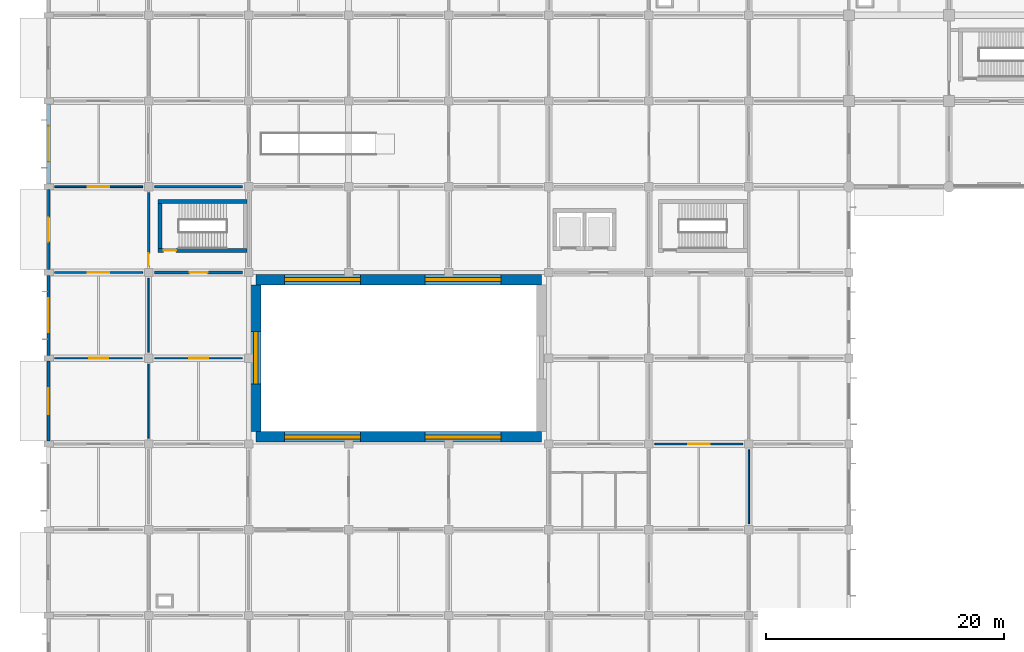
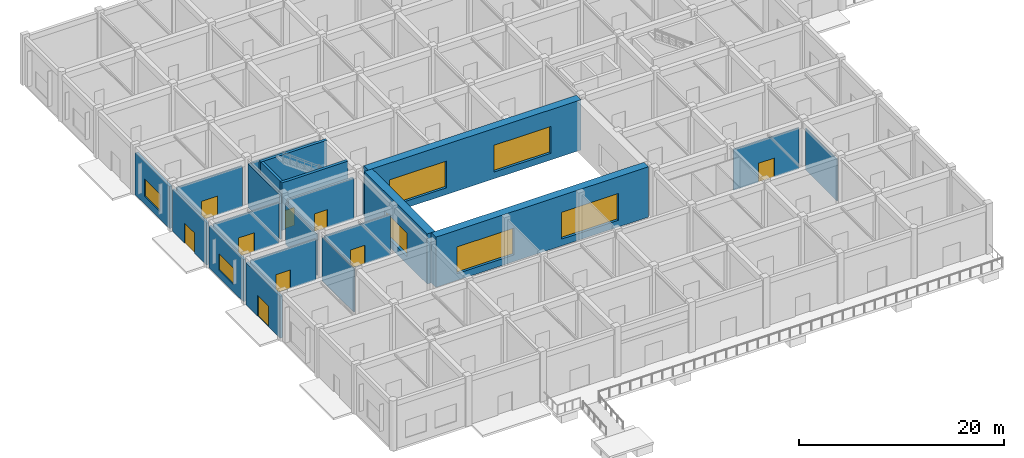
# One storey, part 14 of 39: 21 walls, 10 doors, 7 windows, 17 openings.
"""IFC4 building model written with IfcOpenShell, lengths in metres."""

from ifc_helpers import new_model, si_unit, derived_unit, direction, frame, frame_2d, origin, place, context, subcontext, project, spatial, rectangle, extrude, material, layer, layer_set, type_object, element, fill, save


model = new_model("IFC4")

# Units and contexts
model_context = context("Model", 3, precision=1e-05, world=origin(), true_north=direction((0.0, 1.0)))
body_context = subcontext(model_context, "Body", "Model", "MODEL_VIEW")
ifc_project = project(units=[si_unit("LENGTHUNIT", "METRE"), si_unit("AREAUNIT", "SQUARE_METRE"), si_unit("VOLUMEUNIT", "CUBIC_METRE"), si_unit("PLANEANGLEUNIT", "RADIAN"), si_unit("MASSUNIT", "GRAM", prefix="KILO"), derived_unit("THERMALTRANSMITTANCEUNIT", [(si_unit("MASSUNIT", "GRAM", prefix="KILO"), 1), (si_unit("TIMEUNIT", "SECOND"), -3), (si_unit("THERMODYNAMICTEMPERATUREUNIT", "KELVIN"), -1)])], contexts=[model_context])

# Site, building, storey
site_placement = place(None, origin())
site = spatial("IfcSite", under=ifc_project, at=site_placement, CompositionType="ELEMENT")
building_placement = place(site_placement, origin())
building = spatial("IfcBuilding", under=site, at=building_placement, Name="Veldstrom Oceanarium and Marine Research Institute", CompositionType="ELEMENT")
storey_placement = place(building_placement, origin())
storey = spatial("IfcBuildingStorey", under=building, at=storey_placement, Name="L00", CompositionType="ELEMENT", Elevation=0.0)

# Wall, opening, window
ifc_material_1 = material(Name="Masonry Cavity Wall", Category="masonry")
ifc_layer_1 = layer(ifc_material_1, 0.31005859375)
ifc_layer_set_1 = layer_set([ifc_layer_1], Name="ARC-WAL-EW1")
wall_type_1 = type_object("IfcWallType", Name="ARC-WAL-EW1", PredefinedType="SOLIDWALL", material=ifc_layer_set_1)
wall_1_placement = place(storey_placement, frame((0.0, 43.449951171875, 0.0), z_axis=(0.0, 0.0, 1.0), x_axis=(0.0, 1.0, 0.0)))
wall_1 = element("IfcWall", 1, at=wall_1_placement, inside=storey, type_object=wall_type_1, Name="Exterior Facade Wall EW1 L00-008", PredefinedType="SOLIDWALL", context=body_context, shape_type="SweptSolid", body=[
    extrude(rectangle(XDim=6.699951171875, YDim=0.31005859375, at=frame_2d((3.35009765625, 0.0))), origin(), (0.0, 0.0, 1.0), 5.02001953125),
])
opening_1_placement = place(wall_1_placement, frame((1.85009765625, 0.0, 0.89990234375)))
opening_1 = element("IfcOpeningElement", 2, at=opening_1_placement, cuts=wall_1, Name="Opening W07", PredefinedType="OPENING", context=body_context, shape_type="SweptSolid", body=[
    extrude(rectangle(XDim=3.0, YDim=2.10009765625, at=frame_2d((1.5, 1.050048828125))), frame((0.0, 0.1650390625, 0.0), z_axis=(0.0, -1.0, 0.0), x_axis=(1.0, 0.0, 0.0)), (0.0, 0.0, 1.0), 0.330078125),
])
ifc_material_2 = material(Name="Double Glazed Low-E IGU", Category="glass")
window_type_1 = type_object("IfcWindowType", Name="ARC-WIN-W07", PartitioningType="SINGLE_PANEL", PredefinedType="WINDOW", material=ifc_material_2)
window_1_placement = place(opening_1_placement, origin())
window_1 = element("IfcWindow", 3, at=window_1_placement, inside=storey, type_object=window_type_1, Name="Facade Window W07 L00-0006", OverallHeight=2.10009765625, OverallWidth=3.0, PartitioningType="SINGLE_PANEL", PredefinedType="WINDOW", context=body_context, shape_type="SweptSolid", body=[
    extrude(rectangle(XDim=3.0, YDim=2.10009765625, at=frame_2d((1.5, 1.050048828125))), frame((0.0, 0.030029296875, 0.0), z_axis=(0.0, -1.0, 0.0), x_axis=(1.0, 0.0, 0.0)), (0.0, 0.0, 1.0), 0.06005859375),
])
fill(opening_1, window_1)

# Wall, opening, door
ifc_material_3 = material(Name="Masonry Cavity Wall", Category="masonry")
ifc_layer_2 = layer(ifc_material_3, 0.27001953125)
ifc_layer_set_2 = layer_set([ifc_layer_2], Name="ARC-WAL-EW3")
wall_type_2 = type_object("IfcWallType", Name="ARC-WAL-EW3", PredefinedType="SOLIDWALL", material=ifc_layer_set_2)
wall_2_placement = place(storey_placement, frame((0.0, 21.85009765625, 0.0), z_axis=(0.0, 0.0, 1.0), x_axis=(0.0, 1.0, 0.0)))
wall_2 = element("IfcWall", 4, at=wall_2_placement, inside=storey, type_object=wall_type_2, Name="Exterior Facade Wall EW3 L00-005", PredefinedType="SOLIDWALL", context=body_context, shape_type="SweptSolid", body=[
    extrude(rectangle(XDim=6.699951171875, YDim=0.27001953125, at=frame_2d((3.35009765625, 0.0))), origin(), (0.0, 0.0, 1.0), 5.02001953125),
])
opening_2_placement = place(wall_2_placement, frame((2.25, 0.0, 0.0)))
opening_2 = element("IfcOpeningElement", 5, at=opening_2_placement, cuts=wall_2, Name="Opening D-L00-002", PredefinedType="OPENING", context=body_context, shape_type="SweptSolid", body=[
    extrude(rectangle(XDim=2.199951171875, YDim=2.449951171875, at=frame_2d((1.10009765625, 1.22509765625))), frame((0.0, 0.14501953125, 0.0), z_axis=(0.0, -1.0, 0.0), x_axis=(1.0, 0.0, 0.0)), (0.0, 0.0, 1.0), 0.2900390625),
])
ifc_material_4 = material(Name="Anodised Aluminium Main Entrance Door", Category="aluminium")
door_type_1 = type_object("IfcDoorType", Name="ARC-DOR-ED6", OperationType="DOUBLE_DOOR_SINGLE_SWING", PredefinedType="DOOR", material=ifc_material_4)
door_1_placement = place(opening_2_placement, origin())
door_1 = element("IfcDoor", 6, at=door_1_placement, inside=storey, type_object=door_type_1, Name="Street Entrance / Exit Door D-L00-002", OperationType="DOUBLE_DOOR_SINGLE_SWING", OverallHeight=2.449951171875, OverallWidth=2.199951171875, PredefinedType="DOOR", context=body_context, shape_type="SweptSolid", body=[
    extrude(rectangle(XDim=2.199951171875, YDim=2.449951171875, at=frame_2d((1.10009765625, 1.22509765625))), frame((0.0, 0.02490234375, 0.0), z_axis=(0.0, -1.0, 0.0), x_axis=(1.0, 0.0, 0.0)), (0.0, 0.0, 1.0), 0.050048828125),
])
fill(opening_2, door_1)

# Wall, opening, window
ifc_material_5 = material(Name="Masonry Cavity Wall", Category="masonry")
ifc_layer_3 = layer(ifc_material_5, 0.25)
ifc_layer_set_3 = layer_set([ifc_layer_3], Name="ARC-WAL-EW5")
wall_type_3 = type_object("IfcWallType", Name="ARC-WAL-EW5", PredefinedType="SOLIDWALL", material=ifc_layer_set_3)
wall_3_placement = place(storey_placement, frame((0.0, 29.050048828125, 0.0), z_axis=(0.0, 0.0, 1.0), x_axis=(0.0, 1.0, 0.0)))
wall_3 = element("IfcWall", 7, at=wall_3_placement, inside=storey, type_object=wall_type_3, Name="Exterior Facade Wall EW5 L00-006", PredefinedType="SOLIDWALL", context=body_context, shape_type="SweptSolid", body=[
    extrude(rectangle(XDim=6.699951171875, YDim=0.25, at=frame_2d((3.35009765625, 0.0))), origin(), (0.0, 0.0, 1.0), 5.02001953125),
])
opening_3_placement = place(wall_3_placement, frame((1.925048828125, 0.0, 0.89990234375)))
opening_3 = element("IfcOpeningElement", 8, at=opening_3_placement, cuts=wall_3, Name="Opening W19", PredefinedType="OPENING", context=body_context, shape_type="SweptSolid", body=[
    extrude(rectangle(XDim=2.85009765625, YDim=1.949951171875, at=frame_2d((1.425048828125, 0.97509765625))), frame((0.0, 0.135009765625, 0.0), z_axis=(0.0, -1.0, 0.0), x_axis=(1.0, 0.0, 0.0)), (0.0, 0.0, 1.0), 0.27001953125),
])
ifc_material_6 = material(Name="Double Glazed Low-E IGU", Category="glass")
window_type_2 = type_object("IfcWindowType", Name="ARC-WIN-W19", PartitioningType="SINGLE_PANEL", PredefinedType="WINDOW", material=ifc_material_6)
window_2_placement = place(opening_3_placement, origin())
window_2 = element("IfcWindow", 9, at=window_2_placement, inside=storey, type_object=window_type_2, Name="Facade Window W19 L00-0005", OverallHeight=1.949951171875, OverallWidth=2.85009765625, PartitioningType="SINGLE_PANEL", PredefinedType="WINDOW", context=body_context, shape_type="SweptSolid", body=[
    extrude(rectangle(XDim=2.85009765625, YDim=1.949951171875, at=frame_2d((1.425048828125, 0.97509765625))), frame((0.0, 0.030029296875, 0.0), z_axis=(0.0, -1.0, 0.0), x_axis=(1.0, 0.0, 0.0)), (0.0, 0.0, 1.0), 0.06005859375),
])
fill(opening_3, window_2)

# Wall, opening, door
ifc_material_7 = material(Name="Masonry Cavity Wall", Category="masonry")
ifc_layer_4 = layer(ifc_material_7, 0.215087890625)
ifc_layer_set_4 = layer_set([ifc_layer_4], Name="ARC-WAL-EW6")
wall_type_4 = type_object("IfcWallType", Name="ARC-WAL-EW6", PredefinedType="SOLIDWALL", material=ifc_layer_set_4)
wall_4_placement = place(storey_placement, frame((0.0, 36.25, 0.0), z_axis=(0.0, 0.0, 1.0), x_axis=(0.0, 1.0, 0.0)))
wall_4 = element("IfcWall", 10, at=wall_4_placement, inside=storey, type_object=wall_type_4, Name="Exterior Facade Wall EW6 L00-007", PredefinedType="SOLIDWALL", context=body_context, shape_type="SweptSolid", body=[
    extrude(rectangle(XDim=6.699951171875, YDim=0.215087890625, at=frame_2d((3.35009765625, 0.0))), origin(), (0.0, 0.0, 1.0), 5.02001953125),
])
opening_4_placement = place(wall_4_placement, frame((2.35009765625, 0.0, 0.0)))
opening_4 = element("IfcOpeningElement", 11, at=opening_4_placement, cuts=wall_4, Name="Opening D-L00-003", PredefinedType="OPENING", context=body_context, shape_type="SweptSolid", body=[
    extrude(rectangle(XDim=2.0, YDim=2.39990234375, at=frame_2d((1.0, 1.199951171875))), frame((0.0, 0.117431640625, 0.0), z_axis=(0.0, -1.0, 0.0), x_axis=(1.0, 0.0, 0.0)), (0.0, 0.0, 1.0), 0.235107421875),
])
ifc_material_8 = material(Name="Anodised Aluminium Glazed Door", Category="aluminium")
door_type_2 = type_object("IfcDoorType", Name="ARC-DOR-ED1", OperationType="DOUBLE_DOOR_SINGLE_SWING", PredefinedType="DOOR", material=ifc_material_8)
door_2_placement = place(opening_4_placement, origin())
door_2 = element("IfcDoor", 12, at=door_2_placement, inside=storey, type_object=door_type_2, Name="Street Entrance / Exit Door D-L00-003", OperationType="DOUBLE_DOOR_SINGLE_SWING", OverallHeight=2.39990234375, OverallWidth=2.0, PredefinedType="DOOR", context=body_context, shape_type="SweptSolid", body=[
    extrude(rectangle(XDim=2.0, YDim=2.39990234375, at=frame_2d((1.0, 1.199951171875))), frame((0.0, 0.02490234375, 0.0), z_axis=(0.0, -1.0, 0.0), x_axis=(1.0, 0.0, 0.0)), (0.0, 0.0, 1.0), 0.050048828125),
])
fill(opening_4, door_2)

ifc_material_9 = material(Name="Masonry Fire Compartment Wall", Category="masonry")
ifc_layer_5 = layer(ifc_material_9, 0.22998046875)
ifc_layer_set_5 = layer_set([ifc_layer_5], Name="ARC-WAL-PT1")
wall_type_5 = type_object("IfcWallType", Name="ARC-WAL-PT1", PredefinedType="PARTITIONING", material=ifc_layer_set_5)
wall_5_placement = place(storey_placement, frame((8.39990234375, 36.5, 0.0), z_axis=(0.0, 0.0, 1.0), x_axis=(0.0, 1.0, 0.0)))
wall_5 = element("IfcWall", 13, at=wall_5_placement, inside=storey, type_object=wall_type_5, Name="Interior Partition PT1 L00-0581", PredefinedType="PARTITIONING", context=body_context, shape_type="SweptSolid", body=[
    extrude(rectangle(XDim=6.199951171875, YDim=0.22998046875, at=frame_2d((3.10009765625, 0.0))), origin(), (0.0, 0.0, 1.0), 5.27001953125),
])
opening_5_placement = place(wall_5_placement, frame((0.050048828125, 0.0, 0.0)))
opening_5 = element("IfcOpeningElement", 14, at=opening_5_placement, cuts=wall_5, Name="Opening D-L00-339", PredefinedType="OPENING", context=body_context, shape_type="SweptSolid", body=[
    extrude(rectangle(XDim=1.050048828125, YDim=2.14990234375, at=frame_2d((0.52490234375, 1.074951171875))), frame((0.0, 0.125, 0.0), z_axis=(0.0, -1.0, 0.0), x_axis=(1.0, 0.0, 0.0)), (0.0, 0.0, 1.0), 0.25),
])
ifc_material_10 = material(Name="Painted Steel Fire Door", Category="steel")
door_type_3 = type_object("IfcDoorType", Name="ARC-DOR-SD1", OperationType="SINGLE_SWING_LEFT", PredefinedType="DOOR", material=ifc_material_10)
door_3_placement = place(opening_5_placement, origin())
door_3 = element("IfcDoor", 15, at=door_3_placement, inside=storey, type_object=door_type_3, Name="Interior Door D-L00-339", OperationType="SINGLE_SWING_LEFT", OverallHeight=2.14990234375, OverallWidth=1.050048828125, PredefinedType="DOOR", context=body_context, shape_type="SweptSolid", body=[
    extrude(rectangle(XDim=1.050048828125, YDim=2.14990234375, at=frame_2d((0.52490234375, 1.074951171875))), frame((0.0, 0.02490234375, 0.0), z_axis=(0.0, -1.0, 0.0), x_axis=(1.0, 0.0, 0.0)), (0.0, 0.0, 1.0), 0.050048828125),
])
fill(opening_5, door_3)

wall_6_placement = place(storey_placement, frame((8.89990234375, 36.0, 0.0), z_axis=(0.0, 0.0, 1.0), x_axis=(1.0, 0.0, 0.0)))
wall_6 = element("IfcWall", 16, at=wall_6_placement, inside=storey, type_object=wall_type_5, Name="Interior Partition PT1 L00-0597", PredefinedType="PARTITIONING", context=body_context, shape_type="SweptSolid", body=[
    extrude(rectangle(XDim=7.400146484375, YDim=0.22998046875, at=frame_2d((3.7001953125, 0.0))), origin(), (0.0, 0.0, 1.0), 4.8701171875),
])
opening_6_placement = place(wall_6_placement, frame((2.949951171875, 0.0, 0.0)))
opening_6 = element("IfcOpeningElement", 17, at=opening_6_placement, cuts=wall_6, Name="Opening D-L00-350", PredefinedType="OPENING", context=body_context, shape_type="SweptSolid", body=[
    extrude(rectangle(XDim=1.5, YDim=2.14990234375, at=frame_2d((0.75, 1.074951171875))), frame((0.0, 0.125, 0.0), z_axis=(0.0, -1.0, 0.0), x_axis=(1.0, 0.0, 0.0)), (0.0, 0.0, 1.0), 0.25),
])
ifc_material_11 = material(Name="Painted Steel Lobby Fire Door", Category="steel")
door_type_4 = type_object("IfcDoorType", Name="ARC-DOR-SD2", OperationType="DOUBLE_DOOR_SINGLE_SWING", PredefinedType="DOOR", material=ifc_material_11)
door_4_placement = place(opening_6_placement, origin())
door_4 = element("IfcDoor", 18, at=door_4_placement, inside=storey, type_object=door_type_4, Name="Interior Door D-L00-350", OperationType="DOUBLE_DOOR_SINGLE_SWING", OverallHeight=2.14990234375, OverallWidth=1.5, PredefinedType="DOOR", context=body_context, shape_type="SweptSolid", body=[
    extrude(rectangle(XDim=1.5, YDim=2.14990234375, at=frame_2d((0.75, 1.074951171875))), frame((0.0, 0.02490234375, 0.0), z_axis=(0.0, -1.0, 0.0), x_axis=(1.0, 0.0, 0.0)), (0.0, 0.0, 1.0), 0.050048828125),
])
fill(opening_6, door_4)

# Wall
wall_7_placement = place(storey_placement, frame((8.89990234375, 43.199951171875, 0.0), z_axis=(0.0, 0.0, 1.0), x_axis=(1.0, 0.0, 0.0)))
element("IfcWall", 19, at=wall_7_placement, inside=storey, type_object=wall_type_5, Name="Interior Partition PT1 L00-0599", PredefinedType="PARTITIONING", context=body_context, shape_type="SweptSolid", body=[
    extrude(rectangle(XDim=7.400146484375, YDim=0.22998046875, at=frame_2d((3.7001953125, 0.0))), origin(), (0.0, 0.0, 1.0), 4.8701171875),
])

# Wall, opening, door
ifc_material_12 = material(Name="Drywall Corridor Partition", Category="gypsum")
ifc_layer_6 = layer(ifc_material_12, 0.155029296875)
ifc_layer_set_6 = layer_set([ifc_layer_6], Name="ARC-WAL-PT4")
wall_type_6 = type_object("IfcWallType", Name="ARC-WAL-PT4", PredefinedType="PARTITIONING", material=ifc_layer_set_6)
wall_8_placement = place(storey_placement, frame((0.5, 36.0, 0.0), z_axis=(0.0, 0.0, 1.0), x_axis=(1.0, 0.0, 0.0)))
wall_8 = element("IfcWall", 20, at=wall_8_placement, inside=storey, type_object=wall_type_6, Name="Interior Partition PT4 L00-0580", PredefinedType="PARTITIONING", context=body_context, shape_type="SweptSolid", body=[
    extrude(rectangle(XDim=7.39990234375, YDim=0.155029296875, at=frame_2d((3.699951171875, 0.0))), origin(), (0.0, 0.0, 1.0), 4.8701171875),
])
opening_7_placement = place(wall_8_placement, frame((2.800048828125, 0.0, 0.0)))
opening_7 = element("IfcOpeningElement", 21, at=opening_7_placement, cuts=wall_8, Name="Opening D-L00-338", PredefinedType="OPENING", context=body_context, shape_type="SweptSolid", body=[
    extrude(rectangle(XDim=1.800048828125, YDim=2.25, at=frame_2d((0.89990234375, 1.125))), frame((0.0, 0.08740234375, 0.0), z_axis=(0.0, -1.0, 0.0), x_axis=(1.0, 0.0, 0.0)), (0.0, 0.0, 1.0), 0.175048828125),
])
ifc_material_13 = material(Name="Acoustic Timber Gallery Door", Category="wood")
door_type_5 = type_object("IfcDoorType", Name="ARC-DOR-ID01", OperationType="DOUBLE_DOOR_SINGLE_SWING", PredefinedType="DOOR", material=ifc_material_13)
door_5_placement = place(opening_7_placement, origin())
door_5 = element("IfcDoor", 22, at=door_5_placement, inside=storey, type_object=door_type_5, Name="Interior Door D-L00-338", OperationType="DOUBLE_DOOR_SINGLE_SWING", OverallHeight=2.25, OverallWidth=1.800048828125, PredefinedType="DOOR", context=body_context, shape_type="SweptSolid", body=[
    extrude(rectangle(XDim=1.800048828125, YDim=2.25, at=frame_2d((0.89990234375, 1.125))), frame((0.0, 0.02490234375, 0.0), z_axis=(0.0, -1.0, 0.0), x_axis=(1.0, 0.0, 0.0)), (0.0, 0.0, 1.0), 0.050048828125),
])
fill(opening_7, door_5)

wall_9_placement = place(storey_placement, frame((8.89990234375, 28.800048828125, 0.0), z_axis=(0.0, 0.0, 1.0), x_axis=(1.0, 0.0, 0.0)))
wall_9 = element("IfcWall", 23, at=wall_9_placement, inside=storey, type_object=wall_type_6, Name="Interior Partition PT4 L00-0596", PredefinedType="PARTITIONING", context=body_context, shape_type="SweptSolid", body=[
    extrude(rectangle(XDim=7.400146484375, YDim=0.155029296875, at=frame_2d((3.7001953125, 0.0))), origin(), (0.0, 0.0, 1.0), 4.8701171875),
])
opening_8_placement = place(wall_9_placement, frame((2.89990234375, 0.0, 0.0)))
opening_8 = element("IfcOpeningElement", 24, at=opening_8_placement, cuts=wall_9, Name="Opening D-L00-349", PredefinedType="OPENING", context=body_context, shape_type="SweptSolid", body=[
    extrude(rectangle(XDim=1.60009765625, YDim=2.199951171875, at=frame_2d((0.800048828125, 1.10009765625))), frame((0.0, 0.08740234375, 0.0), z_axis=(0.0, -1.0, 0.0), x_axis=(1.0, 0.0, 0.0)), (0.0, 0.0, 1.0), 0.175048828125),
])
ifc_material_14 = material(Name="Acoustic Timber Corridor Door", Category="wood")
door_type_6 = type_object("IfcDoorType", Name="ARC-DOR-ID02", OperationType="DOUBLE_DOOR_SINGLE_SWING", PredefinedType="DOOR", material=ifc_material_14)
door_6_placement = place(opening_8_placement, origin())
door_6 = element("IfcDoor", 25, at=door_6_placement, inside=storey, type_object=door_type_6, Name="Interior Door D-L00-349", OperationType="DOUBLE_DOOR_SINGLE_SWING", OverallHeight=2.199951171875, OverallWidth=1.60009765625, PredefinedType="DOOR", context=body_context, shape_type="SweptSolid", body=[
    extrude(rectangle(XDim=1.60009765625, YDim=2.199951171875, at=frame_2d((0.800048828125, 1.10009765625))), frame((0.0, 0.02490234375, 0.0), z_axis=(0.0, -1.0, 0.0), x_axis=(1.0, 0.0, 0.0)), (0.0, 0.0, 1.0), 0.050048828125),
])
fill(opening_8, door_6)

wall_10_placement = place(storey_placement, frame((50.89990234375, 21.60009765625, 0.0), z_axis=(0.0, 0.0, 1.0), x_axis=(1.0, 0.0, 0.0)))
wall_10 = element("IfcWall", 26, at=wall_10_placement, inside=storey, type_object=wall_type_6, Name="Interior Partition PT4 L00-0671", PredefinedType="PARTITIONING", context=body_context, shape_type="SweptSolid", body=[
    extrude(rectangle(XDim=7.400146484375, YDim=0.155029296875, at=frame_2d((3.7001953125, 0.0))), origin(), (0.0, 0.0, 1.0), 4.8701171875),
])
opening_9_placement = place(wall_10_placement, frame((2.800048828125, 0.0, 0.0)))
opening_9 = element("IfcOpeningElement", 27, at=opening_9_placement, cuts=wall_10, Name="Opening D-L00-388", PredefinedType="OPENING", context=body_context, shape_type="SweptSolid", body=[
    extrude(rectangle(XDim=1.800048828125, YDim=2.25, at=frame_2d((0.89990234375, 1.125))), frame((0.0, 0.08740234375, 0.0), z_axis=(0.0, -1.0, 0.0), x_axis=(1.0, 0.0, 0.0)), (0.0, 0.0, 1.0), 0.175048828125),
])
door_7_placement = place(opening_9_placement, origin())
door_7 = element("IfcDoor", 28, at=door_7_placement, inside=storey, type_object=door_type_5, Name="Interior Door D-L00-388", OperationType="DOUBLE_DOOR_SINGLE_SWING", OverallHeight=2.25, OverallWidth=1.800048828125, PredefinedType="DOOR", context=body_context, shape_type="SweptSolid", body=[
    extrude(rectangle(XDim=1.800048828125, YDim=2.25, at=frame_2d((0.89990234375, 1.125))), frame((0.0, 0.02490234375, 0.0), z_axis=(0.0, -1.0, 0.0), x_axis=(1.0, 0.0, 0.0)), (0.0, 0.0, 1.0), 0.050048828125),
])
fill(opening_9, door_7)

ifc_material_15 = material(Name="Moisture-Resistant Wet-Area Partition", Category="masonry")
ifc_layer_7 = layer(ifc_material_15, 0.139892578125)
ifc_layer_set_7 = layer_set([ifc_layer_7], Name="ARC-WAL-PT5")
wall_type_7 = type_object("IfcWallType", Name="ARC-WAL-PT5", PredefinedType="PARTITIONING", material=ifc_layer_set_7)
wall_11_placement = place(storey_placement, frame((0.5, 28.800048828125, 0.0), z_axis=(0.0, 0.0, 1.0), x_axis=(1.0, 0.0, 0.0)))
wall_11 = element("IfcWall", 29, at=wall_11_placement, inside=storey, type_object=wall_type_7, Name="Interior Partition PT5 L00-0578", PredefinedType="PARTITIONING", context=body_context, shape_type="SweptSolid", body=[
    extrude(rectangle(XDim=7.39990234375, YDim=0.139892578125, at=frame_2d((3.699951171875, 0.0))), origin(), (0.0, 0.0, 1.0), 4.8701171875),
])
opening_10_placement = place(wall_11_placement, frame((2.89990234375, 0.0, 0.0)))
opening_10 = element("IfcOpeningElement", 30, at=opening_10_placement, cuts=wall_11, Name="Opening D-L00-337", PredefinedType="OPENING", context=body_context, shape_type="SweptSolid", body=[
    extrude(rectangle(XDim=1.60009765625, YDim=2.199951171875, at=frame_2d((0.800048828125, 1.10009765625))), frame((0.0, 0.079833984375, 0.0), z_axis=(0.0, -1.0, 0.0), x_axis=(1.0, 0.0, 0.0)), (0.0, 0.0, 1.0), 0.159912109375),
])
door_8_placement = place(opening_10_placement, frame((1.60009765625, 0.0, 0.0), z_axis=(0.0, 0.0, 1.0), x_axis=(-1.0, 0.0, 0.0)))
door_8 = element("IfcDoor", 31, at=door_8_placement, inside=storey, type_object=door_type_6, Name="Interior Door D-L00-337", OperationType="DOUBLE_DOOR_SINGLE_SWING", OverallHeight=2.199951171875, OverallWidth=1.60009765625, PredefinedType="DOOR", context=body_context, shape_type="SweptSolid", body=[
    extrude(rectangle(XDim=1.60009765625, YDim=2.199951171875, at=frame_2d((0.800048828125, 1.10009765625))), frame((0.0, 0.02490234375, 0.0), z_axis=(0.0, -1.0, 0.0), x_axis=(1.0, 0.0, 0.0)), (0.0, 0.0, 1.0), 0.050048828125),
])
fill(opening_10, door_8)

wall_12_placement = place(storey_placement, frame((0.5, 43.199951171875, 0.0), z_axis=(0.0, 0.0, 1.0), x_axis=(1.0, 0.0, 0.0)))
wall_12 = element("IfcWall", 32, at=wall_12_placement, inside=storey, type_object=wall_type_7, Name="Interior Partition PT5 L00-0582", PredefinedType="PARTITIONING", context=body_context, shape_type="SweptSolid", body=[
    extrude(rectangle(XDim=7.39990234375, YDim=0.139892578125, at=frame_2d((3.699951171875, 0.0))), origin(), (0.0, 0.0, 1.0), 4.8701171875),
])
opening_11_placement = place(wall_12_placement, frame((2.800048828125, 0.0, 0.0)))
opening_11 = element("IfcOpeningElement", 33, at=opening_11_placement, cuts=wall_12, Name="Opening D-L00-340", PredefinedType="OPENING", context=body_context, shape_type="SweptSolid", body=[
    extrude(rectangle(XDim=1.800048828125, YDim=2.25, at=frame_2d((0.89990234375, 1.125))), frame((0.0, 0.079833984375, 0.0), z_axis=(0.0, -1.0, 0.0), x_axis=(1.0, 0.0, 0.0)), (0.0, 0.0, 1.0), 0.159912109375),
])
door_9_placement = place(opening_11_placement, frame((1.800048828125, 0.0, 0.0), z_axis=(0.0, 0.0, 1.0), x_axis=(-1.0, 0.0, 0.0)))
door_9 = element("IfcDoor", 34, at=door_9_placement, inside=storey, type_object=door_type_5, Name="Interior Door D-L00-340", OperationType="DOUBLE_DOOR_SINGLE_SWING", OverallHeight=2.25, OverallWidth=1.800048828125, PredefinedType="DOOR", context=body_context, shape_type="SweptSolid", body=[
    extrude(rectangle(XDim=1.800048828125, YDim=2.25, at=frame_2d((0.89990234375, 1.125))), frame((0.0, 0.02490234375, 0.0), z_axis=(0.0, -1.0, 0.0), x_axis=(1.0, 0.0, 0.0)), (0.0, 0.0, 1.0), 0.050048828125),
])
fill(opening_11, door_9)

# Walls
ifc_material_16 = material(Name="Lightweight Studio Partition", Category="gypsum")
ifc_layer_8 = layer(ifc_material_16, 0.1201171875)
ifc_layer_set_8 = layer_set([ifc_layer_8], Name="ARC-WAL-PT6")
wall_type_8 = type_object("IfcWallType", Name="ARC-WAL-PT6", PredefinedType="PARTITIONING", material=ifc_layer_set_8)
wall_13_placement = place(storey_placement, frame((8.39990234375, 22.10009765625, 0.0), z_axis=(0.0, 0.0, 1.0), x_axis=(0.0, 1.0, 0.0)))
element("IfcWall", 35, at=wall_13_placement, inside=storey, type_object=wall_type_8, Name="Interior Partition PT6 L00-0577", PredefinedType="PARTITIONING", context=body_context, shape_type="SweptSolid", body=[
    extrude(rectangle(XDim=6.199951171875, YDim=0.1201171875, at=frame_2d((3.10009765625, 0.0))), origin(), (0.0, 0.0, 1.0), 5.169921875),
])
wall_14_placement = place(storey_placement, frame((8.39990234375, 29.300048828125, 0.0), z_axis=(0.0, 0.0, 1.0), x_axis=(0.0, 1.0, 0.0)))
element("IfcWall", 36, at=wall_14_placement, inside=storey, type_object=wall_type_8, Name="Interior Partition PT6 L00-0579", PredefinedType="PARTITIONING", context=body_context, shape_type="SweptSolid", body=[
    extrude(rectangle(XDim=6.199951171875, YDim=0.1201171875, at=frame_2d((3.10009765625, 0.0))), origin(), (0.0, 0.0, 1.0), 4.919921875),
])
wall_15_placement = place(storey_placement, frame((58.800048828125, 14.89990234375, 0.0), z_axis=(0.0, 0.0, 1.0), x_axis=(0.0, 1.0, 0.0)))
element("IfcWall", 37, at=wall_15_placement, inside=storey, type_object=wall_type_8, Name="Interior Partition PT6 L00-0670", PredefinedType="PARTITIONING", context=body_context, shape_type="SweptSolid", body=[
    extrude(rectangle(XDim=6.2001953125, YDim=0.1201171875, at=frame_2d((3.10009765625, 0.0))), origin(), (0.0, 0.0, 1.0), 4.919921875),
])

# Wall, opening, door
ifc_material_17 = material(Name="Concrete C40/50", Category="concrete")
ifc_layer_9 = layer(ifc_material_17, 0.320068359375)
ifc_layer_set_9 = layer_set([ifc_layer_9], Name="STR-WAL-WC3")
wall_type_9 = type_object("IfcWallType", Name="STR-WAL-WC3", PredefinedType="SHEAR", material=ifc_layer_set_9)
wall_16_placement = place(storey_placement, frame((9.199951171875, 37.840087890625, 0.0), z_axis=(0.0, 0.0, 1.0), x_axis=(1.0, 0.0, 0.0)))
wall_16 = element("IfcWall", 38, at=wall_16_placement, inside=storey, type_object=wall_type_9, Name="Stair Core Shear Wall SC3-L00-S", PredefinedType="SHEAR", context=body_context, shape_type="SweptSolid", body=[
    extrude(rectangle(XDim=7.47998046875, YDim=0.320068359375, at=frame_2d((3.739990234375, 0.0))), origin(), (0.0, 0.0, 1.0), 5.675048828125),
])
opening_12_placement = place(wall_16_placement, frame((0.449951171875, 0.0, 0.0)))
opening_12 = element("IfcOpeningElement", 39, at=opening_12_placement, cuts=wall_16, Name="Opening D-ST3-L00", PredefinedType="OPENING", context=body_context, shape_type="SweptSolid", body=[
    extrude(rectangle(XDim=1.050048828125, YDim=2.14990234375, at=frame_2d((0.52490234375, 1.074951171875))), frame((0.0, 0.169921875, 0.0), z_axis=(0.0, -1.0, 0.0), x_axis=(1.0, 0.0, 0.0)), (0.0, 0.0, 1.0), 0.340087890625),
])
door_10_placement = place(opening_12_placement, frame((1.050048828125, 0.0, 0.0), z_axis=(0.0, 0.0, 1.0), x_axis=(-1.0, 0.0, 0.0)))
door_10 = element("IfcDoor", 40, at=door_10_placement, inside=storey, type_object=door_type_3, Name="Escape Stair Fire Door D-ST3-L00", OperationType="SINGLE_SWING_RIGHT", OverallHeight=2.14990234375, OverallWidth=1.050048828125, PredefinedType="DOOR", context=body_context, shape_type="SweptSolid", body=[
    extrude(rectangle(XDim=1.050048828125, YDim=2.14990234375, at=frame_2d((0.52490234375, 1.074951171875))), frame((0.0, 0.02490234375, 0.0), z_axis=(0.0, -1.0, 0.0), x_axis=(1.0, 0.0, 0.0)), (0.0, 0.0, 1.0), 0.050048828125),
])
fill(opening_12, door_10)

# Walls
wall_17_placement = place(storey_placement, frame((9.199951171875, 41.9599609375, 0.0), z_axis=(0.0, 0.0, 1.0), x_axis=(1.0, 0.0, 0.0)))
element("IfcWall", 41, at=wall_17_placement, inside=storey, type_object=wall_type_9, Name="Stair Core Shear Wall SC3-L00-N", PredefinedType="SHEAR", context=body_context, shape_type="SweptSolid", body=[
    extrude(rectangle(XDim=7.47998046875, YDim=0.320068359375, at=frame_2d((3.739990234375, 0.0))), origin(), (0.0, 0.0, 1.0), 5.675048828125),
])
wall_18_placement = place(storey_placement, frame((9.360107421875, 38.0, 0.0), z_axis=(0.0, 0.0, 1.0), x_axis=(0.0, 1.0, 0.0)))
element("IfcWall", 42, at=wall_18_placement, inside=storey, type_object=wall_type_9, Name="Stair Core Shear Wall SC3-L00-W", PredefinedType="SHEAR", context=body_context, shape_type="SweptSolid", body=[
    extrude(rectangle(XDim=3.800048828125, YDim=0.320068359375, at=frame_2d((1.89990234375, 0.0))), origin(), (0.0, 0.0, 1.0), 5.675048828125),
])

# Wall, openings, windows
ifc_material_18 = material(Name="Concrete C40/50", Category="concrete")
ifc_layer_10 = layer(ifc_material_18, 0.89990234375)
ifc_layer_set_10 = layer_set([ifc_layer_10], Name="STR-WAL-WT1")
wall_type_10 = type_object("IfcWallType", Name="STR-WAL-WT1", PredefinedType="SOLIDWALL", material=ifc_layer_set_10)
wall_19_placement = place(storey_placement, frame((17.39990234375, 22.199951171875, 0.0), z_axis=(0.0, 0.0, 1.0), x_axis=(1.0, 0.0, 0.0)))
wall_19 = element("IfcWall", 43, at=wall_19_placement, inside=storey, type_object=wall_type_10, Name="Ocean Tank Waterproof RC Wall L00-S", PredefinedType="SOLIDWALL", context=body_context, shape_type="SweptSolid", body=[
    extrude(rectangle(XDim=24.0, YDim=0.89990234375, at=frame_2d((12.0, 0.0))), origin(), (0.0, 0.0, 1.0), 6.0),
])
opening_13_placement = place(wall_19_placement, frame((2.39990234375, 0.0, 0.800048828125)))
opening_13 = element("IfcOpeningElement", 44, at=opening_13_placement, cuts=wall_19, Name="Opening VW1", PredefinedType="OPENING", context=body_context, shape_type="SweptSolid", body=[
    extrude(rectangle(XDim=6.39990234375, YDim=3.199951171875, at=frame_2d((3.199951171875, 1.60009765625))), frame((0.0, 0.4599609375, 0.0), z_axis=(0.0, -1.0, 0.0), x_axis=(1.0, 0.0, 0.0)), (0.0, 0.0, 1.0), 0.919921875),
])
opening_14_placement = place(wall_19_placement, frame((14.199951171875, 0.0, 0.800048828125)))
opening_14 = element("IfcOpeningElement", 45, at=opening_14_placement, cuts=wall_19, Name="Opening VW1", PredefinedType="OPENING", context=body_context, shape_type="SweptSolid", body=[
    extrude(rectangle(XDim=6.39990234375, YDim=3.199951171875, at=frame_2d((3.199951171875, 1.60009765625))), frame((0.0, 0.4599609375, 0.0), z_axis=(0.0, -1.0, 0.0), x_axis=(1.0, 0.0, 0.0)), (0.0, 0.0, 1.0), 0.919921875),
])
ifc_material_19 = material(Name="Cast Acrylic PMMA", Category="glass")
window_type_3 = type_object("IfcWindowType", Name="ARC-WIN-VW1", PartitioningType="SINGLE_PANEL", PredefinedType="WINDOW", material=ifc_material_19)
window_3_placement = place(opening_13_placement, origin())
window_3 = element("IfcWindow", 46, at=window_3_placement, inside=storey, type_object=window_type_3, Name="Ocean Tank Acrylic Viewing Panel VW1-05", OverallHeight=3.199951171875, OverallWidth=6.39990234375, PartitioningType="SINGLE_PANEL", PredefinedType="WINDOW", context=body_context, shape_type="SweptSolid", body=[
    extrude(rectangle(XDim=6.39990234375, YDim=3.199951171875, at=frame_2d((3.199951171875, 1.60009765625))), frame((0.0, 0.175048828125, 0.0), z_axis=(0.0, -1.0, 0.0), x_axis=(1.0, 0.0, 0.0)), (0.0, 0.0, 1.0), 0.35009765625),
])
fill(opening_13, window_3)
window_4_placement = place(opening_14_placement, origin())
window_4 = element("IfcWindow", 47, at=window_4_placement, inside=storey, type_object=window_type_3, Name="Ocean Tank Acrylic Viewing Panel VW1-06", OverallHeight=3.199951171875, OverallWidth=6.39990234375, PartitioningType="SINGLE_PANEL", PredefinedType="WINDOW", context=body_context, shape_type="SweptSolid", body=[
    extrude(rectangle(XDim=6.39990234375, YDim=3.199951171875, at=frame_2d((3.199951171875, 1.60009765625))), frame((0.0, 0.175048828125, 0.0), z_axis=(0.0, -1.0, 0.0), x_axis=(1.0, 0.0, 0.0)), (0.0, 0.0, 1.0), 0.35009765625),
])
fill(opening_14, window_4)

wall_20_placement = place(storey_placement, frame((17.39990234375, 35.39990234375, 0.0), z_axis=(0.0, 0.0, 1.0), x_axis=(1.0, 0.0, 0.0)))
wall_20 = element("IfcWall", 48, at=wall_20_placement, inside=storey, type_object=wall_type_10, Name="Ocean Tank Waterproof RC Wall L00-N", PredefinedType="SOLIDWALL", context=body_context, shape_type="SweptSolid", body=[
    extrude(rectangle(XDim=24.0, YDim=0.89990234375, at=frame_2d((12.0, 0.0))), origin(), (0.0, 0.0, 1.0), 6.0),
])
opening_15_placement = place(wall_20_placement, frame((2.39990234375, 0.0, 0.800048828125)))
opening_15 = element("IfcOpeningElement", 49, at=opening_15_placement, cuts=wall_20, Name="Opening VW1", PredefinedType="OPENING", context=body_context, shape_type="SweptSolid", body=[
    extrude(rectangle(XDim=6.39990234375, YDim=3.199951171875, at=frame_2d((3.199951171875, 1.60009765625))), frame((0.0, 0.4599609375, 0.0), z_axis=(0.0, -1.0, 0.0), x_axis=(1.0, 0.0, 0.0)), (0.0, 0.0, 1.0), 0.919921875),
])
opening_16_placement = place(wall_20_placement, frame((14.199951171875, 0.0, 0.800048828125)))
opening_16 = element("IfcOpeningElement", 50, at=opening_16_placement, cuts=wall_20, Name="Opening VW1", PredefinedType="OPENING", context=body_context, shape_type="SweptSolid", body=[
    extrude(rectangle(XDim=6.39990234375, YDim=3.199951171875, at=frame_2d((3.199951171875, 1.60009765625))), frame((0.0, 0.4599609375, 0.0), z_axis=(0.0, -1.0, 0.0), x_axis=(1.0, 0.0, 0.0)), (0.0, 0.0, 1.0), 0.919921875),
])
window_5_placement = place(opening_15_placement, origin())
window_5 = element("IfcWindow", 51, at=window_5_placement, inside=storey, type_object=window_type_3, Name="Ocean Tank Acrylic Viewing Panel VW1-07", OverallHeight=3.199951171875, OverallWidth=6.39990234375, PartitioningType="SINGLE_PANEL", PredefinedType="WINDOW", context=body_context, shape_type="SweptSolid", body=[
    extrude(rectangle(XDim=6.39990234375, YDim=3.199951171875, at=frame_2d((3.199951171875, 1.60009765625))), frame((0.0, 0.175048828125, 0.0), z_axis=(0.0, -1.0, 0.0), x_axis=(1.0, 0.0, 0.0)), (0.0, 0.0, 1.0), 0.35009765625),
])
fill(opening_15, window_5)
window_6_placement = place(opening_16_placement, origin())
window_6 = element("IfcWindow", 52, at=window_6_placement, inside=storey, type_object=window_type_3, Name="Ocean Tank Acrylic Viewing Panel VW1-08", OverallHeight=3.199951171875, OverallWidth=6.39990234375, PartitioningType="SINGLE_PANEL", PredefinedType="WINDOW", context=body_context, shape_type="SweptSolid", body=[
    extrude(rectangle(XDim=6.39990234375, YDim=3.199951171875, at=frame_2d((3.199951171875, 1.60009765625))), frame((0.0, 0.175048828125, 0.0), z_axis=(0.0, -1.0, 0.0), x_axis=(1.0, 0.0, 0.0)), (0.0, 0.0, 1.0), 0.35009765625),
])
fill(opening_16, window_6)

# Wall, opening, window
wall_21_placement = place(storey_placement, frame((17.39990234375, 22.64990234375, 0.0), z_axis=(0.0, 0.0, 1.0), x_axis=(0.0, 1.0, 0.0)))
wall_21 = element("IfcWall", 53, at=wall_21_placement, inside=storey, type_object=wall_type_10, Name="Ocean Tank Waterproof RC Wall L00-W", PredefinedType="SOLIDWALL", context=body_context, shape_type="SweptSolid", body=[
    extrude(rectangle(XDim=12.300048828125, YDim=0.89990234375, at=frame_2d((6.14990234375, 0.0))), origin(), (0.0, 0.0, 1.0), 6.0),
])
opening_17_placement = place(wall_21_placement, frame((4.0, 0.0, 0.89990234375)))
opening_17 = element("IfcOpeningElement", 54, at=opening_17_placement, cuts=wall_21, Name="Opening VW3", PredefinedType="OPENING", context=body_context, shape_type="SweptSolid", body=[
    extrude(rectangle(XDim=4.39990234375, YDim=2.800048828125, at=frame_2d((2.199951171875, 1.39990234375))), frame((0.0, 0.4599609375, 0.0), z_axis=(0.0, -1.0, 0.0), x_axis=(1.0, 0.0, 0.0)), (0.0, 0.0, 1.0), 0.919921875),
])
ifc_material_20 = material(Name="Cast Acrylic PMMA", Category="glass")
window_type_4 = type_object("IfcWindowType", Name="ARC-WIN-VW3", PartitioningType="SINGLE_PANEL", PredefinedType="WINDOW", material=ifc_material_20)
window_7_placement = place(opening_17_placement, origin())
window_7 = element("IfcWindow", 55, at=window_7_placement, inside=storey, type_object=window_type_4, Name="Ocean Tank Acrylic Viewing Panel VW3-09", OverallHeight=2.800048828125, OverallWidth=4.39990234375, PartitioningType="SINGLE_PANEL", PredefinedType="WINDOW", context=body_context, shape_type="SweptSolid", body=[
    extrude(rectangle(XDim=4.39990234375, YDim=2.800048828125, at=frame_2d((2.199951171875, 1.39990234375))), frame((0.0, 0.175048828125, 0.0), z_axis=(0.0, -1.0, 0.0), x_axis=(1.0, 0.0, 0.0)), (0.0, 0.0, 1.0), 0.35009765625),
])
fill(opening_17, window_7)

save(model, "model.ifc")
